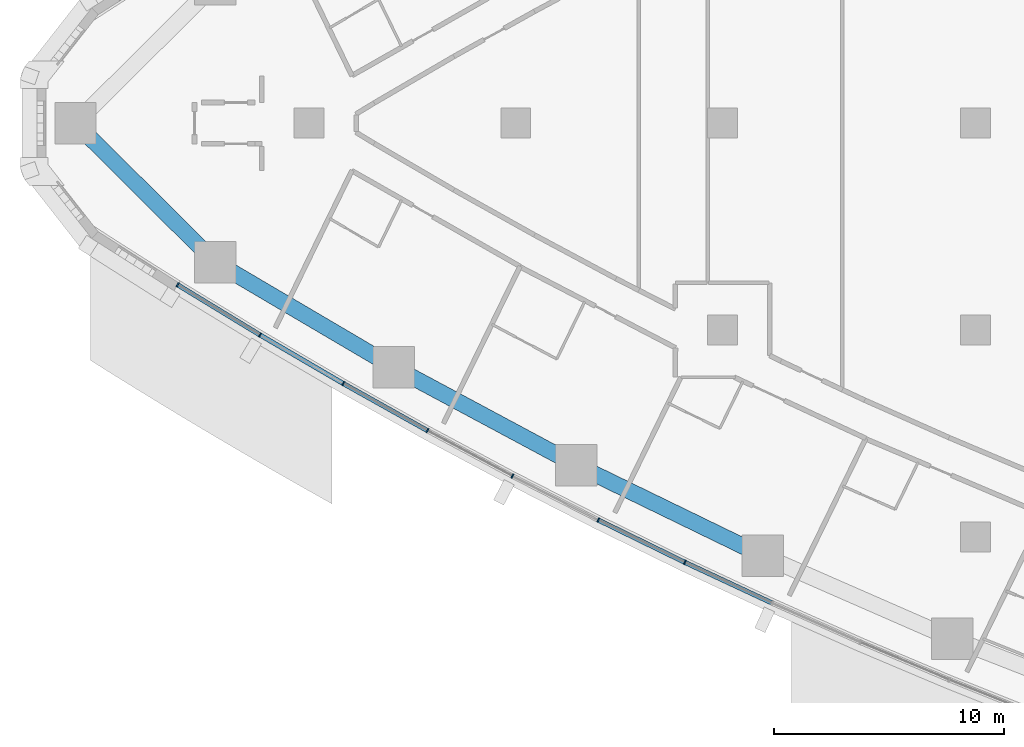
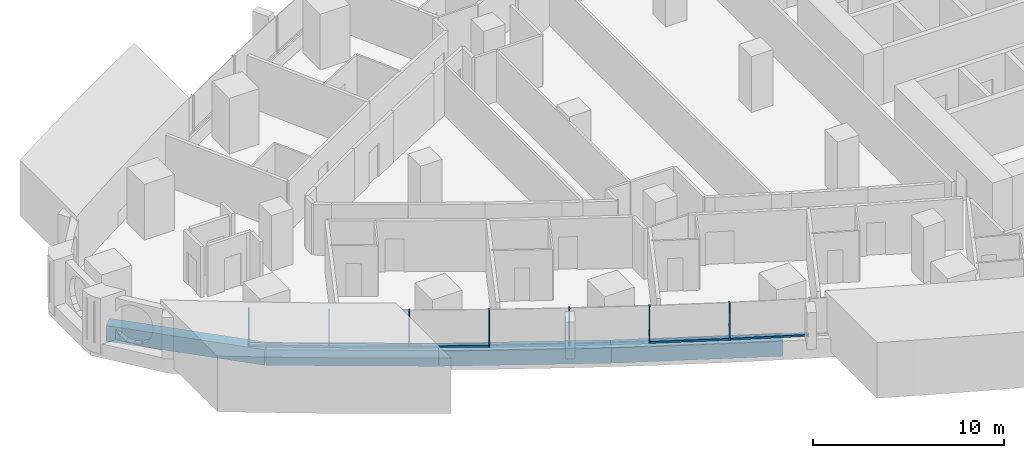
# One storey, part 2 of 19: 12 members, 4 beams, 3 elements without a shape of their own.
"""IFC4 building model written with IfcOpenShell, lengths in metres."""

import ifcopenshell
import ifcopenshell.guid

model = None  # the IFC model being written
_history = None  # IfcOwnerHistory: only IFC2X3 demands one
_inside = {}  # id of a spatial element -> (the spatial element, [elements in it])
_under = {}  # id of a project, library or spatial element -> (it, [spatial elements below it])
_declared = {}  # id of a project -> (the project, [libraries it declares])
_typed = {}  # id of a type object -> (the type object, [elements of that type])
_made_of = {}  # id of a material, layer set ... -> (it, [elements and type objects made of it])


def new_model(schema):
    """Start an empty IFC model of exactly this schema.

    Asked for "IFC4X3", IfcOpenShell would pick the latest addendum, in which some entities
    have other attributes; the version numbers below select the first issue.
    IFC2X3 requires an IfcOwnerHistory on every rooted entity: one is made here for all.
    """
    global model, _history
    if schema == "IFC4X3":
        model = ifcopenshell.file(schema_version=(4, 3, 0, 0))
    else:
        model = ifcopenshell.file(schema=schema)
    _inside.clear()
    _under.clear()
    _declared.clear()
    _typed.clear()
    _made_of.clear()
    _history = None
    if model.schema == "IFC2X3":
        org = make("IfcOrganization", Name="unknown")
        user = make(
            "IfcPersonAndOrganization",
            ThePerson=make("IfcPerson", FamilyName="unknown"),
            TheOrganization=org,
        )
        app = make(
            "IfcApplication",
            ApplicationDeveloper=org,
            Version="unknown",
            ApplicationFullName="unknown",
            ApplicationIdentifier="unknown",
        )
        _history = make(
            "IfcOwnerHistory",
            OwningUser=user,
            OwningApplication=app,
            ChangeAction="ADDED",
            CreationDate=0,
        )
    return model


def make(cls, **values):
    """One entity of the class cls with the attributes given. An attribute that is None is left unset."""
    return model.create_entity(
        cls, **{name: value for name, value in values.items() if value is not None}
    )


def rooted(cls, **values):
    """An entity with a GlobalId (a new one), such as an element, a storey or a relation."""
    return make(cls, GlobalId=ifcopenshell.guid.new(), OwnerHistory=_history, **values)


def si_unit(unit_type, name, prefix=None):
    """IfcSIUnit, for example si_unit("LENGTHUNIT", "METRE", prefix="MILLI")."""
    return make("IfcSIUnit", UnitType=unit_type, Prefix=prefix, Name=name)


def assignment(units):
    """IfcUnitAssignment: the units of a project."""
    return None if units is None else make("IfcUnitAssignment", Units=units)


def point(xyz):
    """IfcCartesianPoint."""
    return None if xyz is None else make("IfcCartesianPoint", Coordinates=xyz)


def direction(xyz):
    """IfcDirection."""
    return None if xyz is None else make("IfcDirection", DirectionRatios=xyz)


def frame(location, z_axis=None, x_axis=None):
    """IfcAxis2Placement3D, a coordinate frame: its origin and axes. An axis left out is left unset."""
    return make(
        "IfcAxis2Placement3D",
        Location=point(location),
        Axis=direction(z_axis),
        RefDirection=direction(x_axis),
    )


def frame_2d(location, x_axis=None):
    """IfcAxis2Placement2D, a coordinate frame in the plane: its origin and x axis."""
    return make(
        "IfcAxis2Placement2D", Location=point(location), RefDirection=direction(x_axis)
    )


def origin():
    """The frame at (0, 0, 0) with its axes left unset."""
    return frame((0.0, 0.0, 0.0))


def origin_2d():
    """The frame at (0, 0) in the plane with its x axis left unset."""
    return frame_2d((0.0, 0.0))


def place(relative_to, where):
    """IfcLocalPlacement: puts the frame where relative to a parent placement (None: the world)."""
    return make(
        "IfcLocalPlacement", PlacementRelTo=relative_to, RelativePlacement=where
    )


def context(
    kind, dimensions, precision=None, world=None, true_north=None, identifier=None
):
    """IfcGeometricRepresentationContext, for example the 3D "Model" context."""
    return make(
        "IfcGeometricRepresentationContext",
        ContextIdentifier=identifier,
        ContextType=kind,
        CoordinateSpaceDimension=dimensions,
        Precision=precision,
        WorldCoordinateSystem=world,
        TrueNorth=true_north,
    )


def subcontext(parent, identifier, kind, view, scale=None):
    """IfcGeometricRepresentationSubContext, for example "Body" below "Model"."""
    return make(
        "IfcGeometricRepresentationSubContext",
        ContextIdentifier=identifier,
        ContextType=kind,
        ParentContext=parent,
        TargetScale=scale,
        TargetView=view,
    )


def project(units=None, contexts=None):
    """IfcProject with its units and contexts."""
    return rooted(
        "IfcProject",
        Name="project",
        RepresentationContexts=contexts,
        UnitsInContext=assignment(units),
    )


def spatial(cls, under=None, at=None, **own):
    """A site, building, storey or space (cls), placed at a placement, below another one or the project."""
    s = rooted(cls, ObjectPlacement=at, **own)
    if under is not None:
        _under.setdefault(under.id(), (under, []))[1].append(s)
    return s


def profile(cls, at=None, kind="AREA", **sizes):
    """A parametric profile (cls). Its sizes go by their IFC names, for example OverallWidth=200.0."""
    return make(cls, ProfileType=kind, Position=at, **sizes)


def rectangle(**sizes):
    """IfcRectangleProfileDef."""
    return profile("IfcRectangleProfileDef", **sizes)


def extrude(swept, where, along, depth):
    """IfcExtrudedAreaSolid: the profile swept, set in the frame where, extruded along a direction by depth."""
    return make(
        "IfcExtrudedAreaSolid",
        SweptArea=swept,
        Position=where,
        ExtrudedDirection=direction(along),
        Depth=depth,
    )


def shape(context_of_items, identifier, shape_type, items):
    """IfcShapeRepresentation: the items that make up one representation, for example the "Body"."""
    return make(
        "IfcShapeRepresentation",
        ContextOfItems=context_of_items,
        RepresentationIdentifier=identifier,
        RepresentationType=shape_type,
        Items=items,
    )


def material(Name=None, Category=None):
    """IfcMaterial."""
    return make("IfcMaterial", Name=Name, Category=Category)


def layer(
    of_material, thickness, ventilated=None, Name=None, Category=None, Priority=None
):
    """IfcMaterialLayer: one layer of a wall or slab, of a material (None: an air gap)."""
    return make(
        "IfcMaterialLayer",
        Material=of_material,
        LayerThickness=thickness,
        IsVentilated=ventilated,
        Name=Name,
        Category=Category,
        Priority=Priority,
    )


def layer_set(layers, Name=None):
    """IfcMaterialLayerSet."""
    return make("IfcMaterialLayerSet", MaterialLayers=layers, LayerSetName=Name)


def material_profile(
    of_material, cross_section, Name=None, Category=None, Priority=None
):
    """IfcMaterialProfile: a cross section and its material."""
    return make(
        "IfcMaterialProfile",
        Name=Name,
        Material=of_material,
        Profile=cross_section,
        Priority=Priority,
        Category=Category,
    )


def profile_set(profiles, Name=None, composite=None):
    """IfcMaterialProfileSet."""
    return make(
        "IfcMaterialProfileSet",
        Name=Name,
        MaterialProfiles=profiles,
        CompositeProfile=composite,
    )


def made_of(thing, what):
    """Note that an element or type object is made of a material, layer set ...; save() writes the relation."""
    if what is not None:
        _made_of.setdefault(what.id(), (what, []))[1].append(thing)
    return thing


def type_object(cls, material=None, **own):
    """A type object (cls), such as IfcWallType, which elements share."""
    return made_of(rooted(cls, **own), material)


def element(
    cls,
    number,
    at=None,
    inside=None,
    cuts=None,
    type_object=None,
    material=None,
    context=None,
    identifier="Body",
    shape_type=None,
    held_by="IfcProductDefinitionShape",
    body=None,
    shapes=None,
    **own,
):
    """One element of the class cls, such as IfcWall. Its Tag is "e" and its number.

    at: its placement. inside: the storey or other place that contains it. cuts: it is an
    opening in that element (IfcRelVoidsElement). A single representation is given by context,
    identifier, shape_type and body (its items); several are given by shapes. held_by: the class
    of the entity that holds the representations. save() writes the other relations.
    """
    e = rooted(cls, Tag="e%d" % number, ObjectPlacement=at, **own)
    if body is not None:
        shapes = [shape(context, identifier, shape_type, body)]
    if shapes is not None:
        e.Representation = make(held_by, Representations=shapes)
    if inside is not None:
        _inside.setdefault(inside.id(), (inside, []))[1].append(e)
    if cuts is not None:
        rooted(
            "IfcRelVoidsElement", RelatingBuildingElement=cuts, RelatedOpeningElement=e
        )
    if type_object is not None:
        _typed.setdefault(type_object.id(), (type_object, []))[1].append(e)
    return made_of(e, material)


def aggregate(whole, parts):
    """IfcRelAggregates: a whole, such as a stair, and the parts it consists of."""
    return rooted("IfcRelAggregates", RelatingObject=whole, RelatedObjects=parts)


def save(model, path):
    """Write the relations noted so far, then the file.

    IfcRelAggregates (storeys below a building ...), IfcRelContainedInSpatialStructure (elements
    in a storey), IfcRelDefinesByType, IfcRelAssociatesMaterial and IfcRelDeclares: one each for
    every whole, place, type object, material and project.
    """
    for whole, parts in _under.values():
        aggregate(whole, parts)
    for where, things in _inside.values():
        rooted(
            "IfcRelContainedInSpatialStructure",
            RelatedElements=things,
            RelatingStructure=where,
        )
    for kind, things in _typed.values():
        rooted("IfcRelDefinesByType", RelatedObjects=things, RelatingType=kind)
    for what, things in _made_of.values():
        rooted("IfcRelAssociatesMaterial", RelatedObjects=things, RelatingMaterial=what)
    for by, libraries in _declared.values():
        rooted("IfcRelDeclares", RelatingContext=by, RelatedDefinitions=libraries)
    model.write(path)


model = new_model("IFC4")

# Units and contexts
model_context = context("Model", 3, precision=1e-05, world=origin(), true_north=direction((0.0, 1.0)))
body_context = subcontext(model_context, "Body", "Model", "MODEL_VIEW")
ifc_project = project(units=[si_unit("LENGTHUNIT", "METRE"), si_unit("AREAUNIT", "SQUARE_METRE"), si_unit("VOLUMEUNIT", "CUBIC_METRE"), si_unit("PLANEANGLEUNIT", "RADIAN"), si_unit("MASSUNIT", "GRAM", prefix="KILO")], contexts=[model_context])

# Site, building, storey
site_placement = place(None, origin())
site = spatial("IfcSite", under=ifc_project, at=site_placement, CompositionType="ELEMENT")
building_placement = place(site_placement, origin())
building = spatial("IfcBuilding", under=site, at=building_placement, Name="Ostrand Prow Hotel Tower", CompositionType="ELEMENT")
storey_placement = place(building_placement, frame((0.0, 0.0, 53.800048828125)))
storey = spatial("IfcBuildingStorey", under=building, at=storey_placement, Name="L11", CompositionType="ELEMENT", Elevation=53.800048828125)

# Beams
ifc_material_1 = material(Name="Concrete C80/95", Category="concrete")
ifc_material_profile_1 = material_profile(ifc_material_1, rectangle(XDim=0.699951171875, YDim=1.0, at=origin_2d()), Name="RC 700x1000")
ifc_profile_set_1 = profile_set([ifc_material_profile_1], Name="Concrete C80/95")
beam_type = type_object("IfcBeamType", Name="Edge beam 700x1000 C80/95", PredefinedType="SPANDREL", material=ifc_profile_set_1)
beam_1_placement = place(storey_placement, frame((5.848388671875, 0.0, -0.800048828125), z_axis=(0.709211674915, -0.70499560294, 0.0), x_axis=(0.70499560294, 0.709211674915, 0.0)))
element("IfcBeam", 1, at=beam_1_placement, inside=storey, type_object=beam_type, Name="Edge beam P-S1", PredefinedType="SPANDREL", context=body_context, shape_type="SweptSolid", body=[
    extrude(rectangle(XDim=0.699951171875, YDim=1.0, at=origin_2d()), origin(), (0.0, 0.0, 1.0), 8.5703125),
])
beam_2_placement = place(storey_placement, frame((11.926513671875, -6.0419921875, -0.800048828125), z_axis=(0.861725230108, -0.507375233722, 0.0), x_axis=(0.507375233722, 0.861725230108, 0.0)))
element("IfcBeam", 2, at=beam_2_placement, inside=storey, type_object=beam_type, Name="Edge beam S1-S2", PredefinedType="SPANDREL", context=body_context, shape_type="SweptSolid", body=[
    extrude(rectangle(XDim=0.699951171875, YDim=1.0, at=origin_2d()), origin(), (0.0, 0.0, 1.0), 9.012451171875),
])
beam_3_placement = place(storey_placement, frame((19.69287109375, -10.61474609375, -0.800048828125), z_axis=(0.881270074696, -0.472613008122, 0.0), x_axis=(0.472613008122, 0.881270074696, 0.0)))
element("IfcBeam", 3, at=beam_3_placement, inside=storey, type_object=beam_type, Name="Edge beam S2-S3", PredefinedType="SPANDREL", context=body_context, shape_type="SweptSolid", body=[
    extrude(rectangle(XDim=0.699951171875, YDim=1.0, at=origin_2d()), origin(), (0.0, 0.0, 1.0), 9.0126953125),
])
beam_4_placement = place(storey_placement, frame((27.635498046875, -14.874267578125, -0.800048828125), z_axis=(0.899382499202, -0.437162578601, 0.0), x_axis=(0.437162578601, 0.899382499202, 0.0)))
element("IfcBeam", 4, at=beam_4_placement, inside=storey, type_object=beam_type, Name="Edge beam S3-S4", PredefinedType="SPANDREL", context=body_context, shape_type="SweptSolid", body=[
    extrude(rectangle(XDim=0.699951171875, YDim=1.0, at=origin_2d()), origin(), (0.0, 0.0, 1.0), 9.012451171875),
])

# Curtain wall, members
ifc_material_2 = material(Name="Insulated glass in bronze anodised frame", Category="glass")
ifc_layer = layer(ifc_material_2, 0.199951171875)
ifc_layer_set = layer_set([ifc_layer], Name="Insulated glass in bronze anodised frame")
curtain_wall_type = type_object("IfcCurtainWallType", Name="Strip curtain wall, fritted glass over bronze spandrel", PredefinedType="NOTDEFINED", material=ifc_layer_set)
curtain_wall_1_placement = place(storey_placement, origin())
curtain_wall_1 = element("IfcCurtainWall", 5, at=curtain_wall_1_placement, inside=storey, type_object=curtain_wall_type, Name="CW1 run CWS1", PredefinedType="NOTDEFINED")
ifc_material_3 = material(Name="Bronze anodised aluminium", Category="aluminium")
ifc_material_profile_2 = material_profile(ifc_material_3, rectangle(XDim=0.199951171875, YDim=0.06005859375, at=origin_2d()), Name="Mullion 60x200 bronze anodised aluminium")
ifc_profile_set_2 = profile_set([ifc_material_profile_2], Name="Bronze anodised aluminium")
member_type_1 = type_object("IfcMemberType", Name="Mullion 60x200 bronze anodised aluminium", PredefinedType="MULLION", material=ifc_profile_set_2)
member_1_placement = place(storey_placement, frame((10.29443359375, -7.031494140625, 0.89990234375), z_axis=(0.0, 0.0, 1.0), x_axis=(0.519830761515, 0.854269266322, 0.0)))
member_1 = element("IfcMember", 6, at=member_1_placement, type_object=member_type_1, Name="CW1 mullion 1", PredefinedType="MULLION", context=body_context, shape_type="SweptSolid", body=[
    extrude(rectangle(XDim=0.199951171875, YDim=0.06005859375, at=origin_2d()), origin(), (0.0, 0.0, 1.0), 2.35009765625),
])
member_2_placement = place(storey_placement, frame((13.87744140625, -9.2119140625, 0.89990234375), z_axis=(0.0, 0.0, 1.0), x_axis=(0.50402272292, 0.863690392896, 0.0)))
member_2 = element("IfcMember", 7, at=member_2_placement, type_object=member_type_1, Name="CW1 mullion 2", PredefinedType="MULLION", context=body_context, shape_type="SweptSolid", body=[
    extrude(rectangle(XDim=0.199951171875, YDim=0.06005859375, at=origin_2d()), origin(), (0.0, 0.0, 1.0), 2.35009765625),
])
member_3_placement = place(storey_placement, frame((17.5, -11.325927734375, 0.89990234375), z_axis=(0.0, 0.0, 1.0), x_axis=(0.50402272292, 0.863690392896, 0.0)))
member_3 = element("IfcMember", 8, at=member_3_placement, type_object=member_type_1, Name="CW1 mullion 3", PredefinedType="MULLION", context=body_context, shape_type="SweptSolid", body=[
    extrude(rectangle(XDim=0.199951171875, YDim=0.06005859375, at=origin_2d()), origin(), (0.0, 0.0, 1.0), 2.35009765625),
])

curtain_wall_2_placement = place(storey_placement, origin())
curtain_wall_2 = element("IfcCurtainWall", 9, at=curtain_wall_2_placement, inside=storey, type_object=curtain_wall_type, Name="CW1 run CWS2", PredefinedType="NOTDEFINED")
member_4_placement = place(storey_placement, frame((21.160888671875, -13.372802734375, 0.89990234375), z_axis=(0.0, 0.0, 1.0), x_axis=(0.471899992481, 0.881652083929, 0.0)))
member_4 = element("IfcMember", 10, at=member_4_placement, type_object=member_type_1, Name="CW1 mullion 2", PredefinedType="MULLION", context=body_context, shape_type="SweptSolid", body=[
    extrude(rectangle(XDim=0.199951171875, YDim=0.06005859375, at=origin_2d()), origin(), (0.0, 0.0, 1.0), 2.35009765625),
])
member_5_placement = place(storey_placement, frame((24.858642578125, -15.35205078125, 0.89990234375), z_axis=(0.0, 0.0, 1.0), x_axis=(0.455596179055, 0.890186565631, 0.0)))
member_5 = element("IfcMember", 11, at=member_5_placement, type_object=member_type_1, Name="CW1 mullion 3", PredefinedType="MULLION", context=body_context, shape_type="SweptSolid", body=[
    extrude(rectangle(XDim=0.199951171875, YDim=0.06005859375, at=origin_2d()), origin(), (0.0, 0.0, 1.0), 2.35009765625),
])
member_6_placement = place(storey_placement, frame((28.59228515625, -17.262939453125, 0.89990234375), z_axis=(0.0, 0.0, 1.0), x_axis=(0.455596179055, 0.890186565631, 0.0)))
member_6 = element("IfcMember", 12, at=member_6_placement, type_object=member_type_1, Name="CW1 mullion 4", PredefinedType="MULLION", context=body_context, shape_type="SweptSolid", body=[
    extrude(rectangle(XDim=0.199951171875, YDim=0.06005859375, at=origin_2d()), origin(), (0.0, 0.0, 1.0), 2.35009765625),
])

# Curtain wall, member
curtain_wall_3_placement = place(storey_placement, origin())
curtain_wall_3 = element("IfcCurtainWall", 13, at=curtain_wall_3_placement, inside=storey, type_object=curtain_wall_type, Name="CW1 run CWS3", PredefinedType="NOTDEFINED")
member_7_placement = place(storey_placement, frame((32.360595703125, -19.10498046875, 0.89990234375), z_axis=(0.0, 0.0, 1.0), x_axis=(0.422529678615, 0.906349088757, 0.0)))
member_7 = element("IfcMember", 14, at=member_7_placement, type_object=member_type_1, Name="CW1 mullion 2", PredefinedType="MULLION", context=body_context, shape_type="SweptSolid", body=[
    extrude(rectangle(XDim=0.199951171875, YDim=0.06005859375, at=origin_2d()), origin(), (0.0, 0.0, 1.0), 2.35009765625),
])

# Member
ifc_material_4 = material(Name="Bronze anodised aluminium", Category="aluminium")
ifc_material_profile_3 = material_profile(ifc_material_4, rectangle(XDim=0.199951171875, YDim=0.1201171875, at=origin_2d()), Name="Transom 120x200 bronze anodised aluminium")
ifc_profile_set_3 = profile_set([ifc_material_profile_3], Name="Bronze anodised aluminium")
member_type_2 = type_object("IfcMemberType", Name="Transom 120x200 bronze anodised aluminium", PredefinedType="USERDEFINED", material=ifc_profile_set_3)
member_8_placement = place(storey_placement, frame((10.320068359375, -7.047119140625, 0.9599609375), z_axis=(0.8542612678, -0.519843905741, 0.0), x_axis=(0.519843905741, 0.8542612678, 0.0)))
member_8 = element("IfcMember", 15, at=member_8_placement, type_object=member_type_2, Name="CW1 transom 1.1", ObjectType="TRANSOM", PredefinedType="USERDEFINED", context=body_context, shape_type="SweptSolid", body=[
    extrude(rectangle(XDim=0.199951171875, YDim=0.1201171875, at=origin_2d()), origin(), (0.0, 0.0, 1.0), 4.13427734375),
])

member_9_placement = place(storey_placement, frame((13.9033203125, -9.22705078125, 0.9599609375), z_axis=(0.863697501622, -0.504010541251, 0.0), x_axis=(0.504010541251, 0.863697501622, 0.0)))
member_9 = element("IfcMember", 16, at=member_9_placement, type_object=member_type_2, Name="CW1 transom 2.1", ObjectType="TRANSOM", PredefinedType="USERDEFINED", context=body_context, shape_type="SweptSolid", body=[
    extrude(rectangle(XDim=0.199951171875, YDim=0.1201171875, at=origin_2d()), origin(), (0.0, 0.0, 1.0), 4.13427734375),
])

aggregate(curtain_wall_1, [member_1, member_2, member_3, member_8, member_9])

member_10_placement = place(storey_placement, frame((17.526123046875, -11.340576171875, 0.9599609375), z_axis=(0.872842137405, -0.488002667175, 0.0), x_axis=(0.488002667175, 0.872842137405, 0.0)))
member_10 = element("IfcMember", 17, at=member_10_placement, type_object=member_type_2, Name="CW1 transom 1.1", ObjectType="TRANSOM", PredefinedType="USERDEFINED", context=body_context, shape_type="SweptSolid", body=[
    extrude(rectangle(XDim=0.199951171875, YDim=0.1201171875, at=origin_2d()), origin(), (0.0, 0.0, 1.0), 4.13427734375),
])

aggregate(curtain_wall_2, [member_4, member_5, member_6, member_10])

member_11_placement = place(storey_placement, frame((28.619384765625, -17.276123046875, 0.9599609375), z_axis=(0.898395234758, -0.439187889364, 0.0), x_axis=(0.439187889364, 0.898395234758, 0.0)))
member_11 = element("IfcMember", 18, at=member_11_placement, type_object=member_type_2, Name="CW1 transom 1.1", ObjectType="TRANSOM", PredefinedType="USERDEFINED", context=body_context, shape_type="SweptSolid", body=[
    extrude(rectangle(XDim=0.199951171875, YDim=0.1201171875, at=origin_2d()), origin(), (0.0, 0.0, 1.0), 4.13427734375),
])

member_12_placement = place(storey_placement, frame((32.3876953125, -19.117431640625, 0.9599609375), z_axis=(0.906338458793, -0.422552479714, 0.0), x_axis=(0.422552479714, 0.906338458793, 0.0)))
member_12 = element("IfcMember", 19, at=member_12_placement, type_object=member_type_2, Name="CW1 transom 2.1", ObjectType="TRANSOM", PredefinedType="USERDEFINED", context=body_context, shape_type="SweptSolid", body=[
    extrude(rectangle(XDim=0.199951171875, YDim=0.1201171875, at=origin_2d()), origin(), (0.0, 0.0, 1.0), 4.134521484375),
])

aggregate(curtain_wall_3, [member_7, member_11, member_12])

save(model, "model.ifc")
